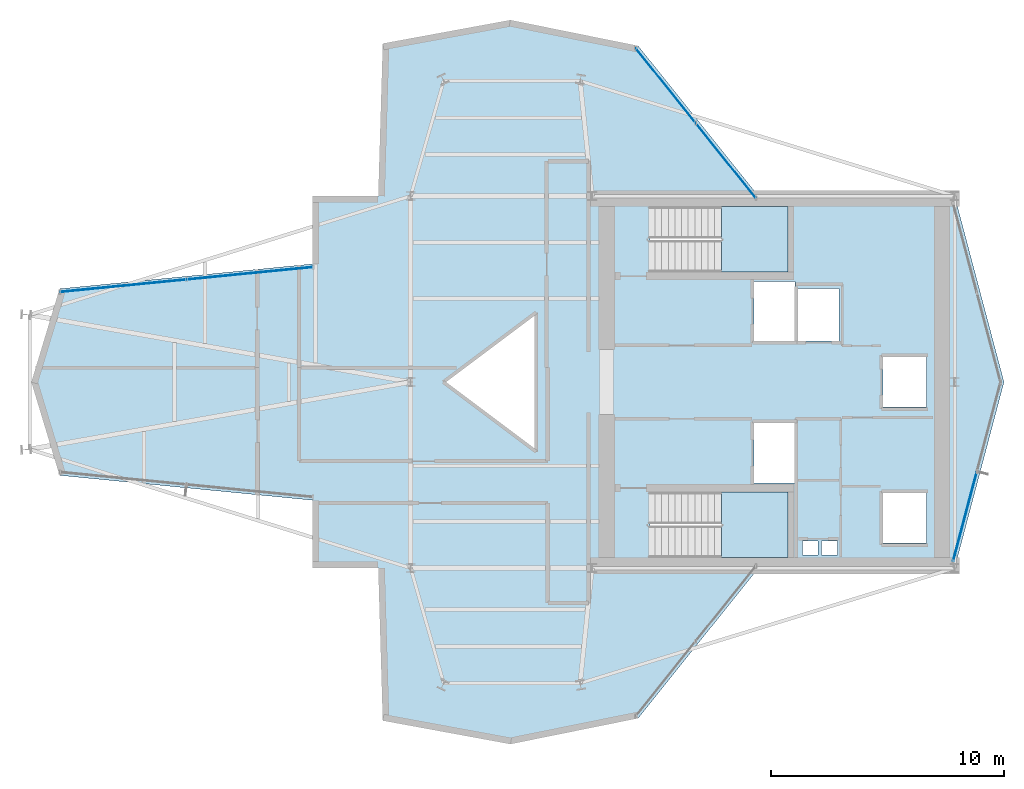
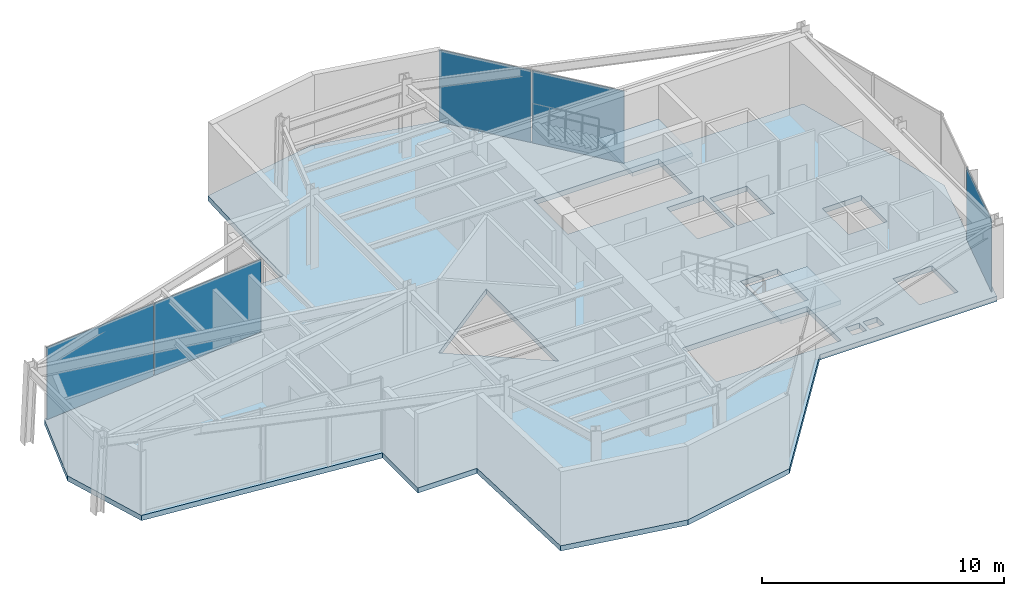
# One storey, part 19 of 23: 5 plates, 3 slabs, 5 elements without a shape of their own.
"""IFC4 building model written with IfcOpenShell, lengths in metres."""

import ifcopenshell
import ifcopenshell.guid

model = None  # the IFC model being written
_history = None  # IfcOwnerHistory: only IFC2X3 demands one
_inside = {}  # id of a spatial element -> (the spatial element, [elements in it])
_under = {}  # id of a project, library or spatial element -> (it, [spatial elements below it])
_declared = {}  # id of a project -> (the project, [libraries it declares])
_typed = {}  # id of a type object -> (the type object, [elements of that type])
_made_of = {}  # id of a material, layer set ... -> (it, [elements and type objects made of it])


def new_model(schema):
    """Start an empty IFC model of exactly this schema.

    Asked for "IFC4X3", IfcOpenShell would pick the latest addendum, in which some entities
    have other attributes; the version numbers below select the first issue.
    IFC2X3 requires an IfcOwnerHistory on every rooted entity: one is made here for all.
    """
    global model, _history
    if schema == "IFC4X3":
        model = ifcopenshell.file(schema_version=(4, 3, 0, 0))
    else:
        model = ifcopenshell.file(schema=schema)
    _inside.clear()
    _under.clear()
    _declared.clear()
    _typed.clear()
    _made_of.clear()
    _history = None
    if model.schema == "IFC2X3":
        org = make("IfcOrganization", Name="unknown")
        user = make(
            "IfcPersonAndOrganization",
            ThePerson=make("IfcPerson", FamilyName="unknown"),
            TheOrganization=org,
        )
        app = make(
            "IfcApplication",
            ApplicationDeveloper=org,
            Version="unknown",
            ApplicationFullName="unknown",
            ApplicationIdentifier="unknown",
        )
        _history = make(
            "IfcOwnerHistory",
            OwningUser=user,
            OwningApplication=app,
            ChangeAction="ADDED",
            CreationDate=0,
        )
    return model


def make(cls, **values):
    """One entity of the class cls with the attributes given. An attribute that is None is left unset."""
    return model.create_entity(
        cls, **{name: value for name, value in values.items() if value is not None}
    )


def rooted(cls, **values):
    """An entity with a GlobalId (a new one), such as an element, a storey or a relation."""
    return make(cls, GlobalId=ifcopenshell.guid.new(), OwnerHistory=_history, **values)


def si_unit(unit_type, name, prefix=None):
    """IfcSIUnit, for example si_unit("LENGTHUNIT", "METRE", prefix="MILLI")."""
    return make("IfcSIUnit", UnitType=unit_type, Prefix=prefix, Name=name)


def assignment(units):
    """IfcUnitAssignment: the units of a project."""
    return None if units is None else make("IfcUnitAssignment", Units=units)


def point(xyz):
    """IfcCartesianPoint."""
    return None if xyz is None else make("IfcCartesianPoint", Coordinates=xyz)


def direction(xyz):
    """IfcDirection."""
    return None if xyz is None else make("IfcDirection", DirectionRatios=xyz)


def frame(location, z_axis=None, x_axis=None):
    """IfcAxis2Placement3D, a coordinate frame: its origin and axes. An axis left out is left unset."""
    return make(
        "IfcAxis2Placement3D",
        Location=point(location),
        Axis=direction(z_axis),
        RefDirection=direction(x_axis),
    )


def frame_2d(location, x_axis=None):
    """IfcAxis2Placement2D, a coordinate frame in the plane: its origin and x axis."""
    return make(
        "IfcAxis2Placement2D", Location=point(location), RefDirection=direction(x_axis)
    )


def origin():
    """The frame at (0, 0, 0) with its axes left unset."""
    return frame((0.0, 0.0, 0.0))


def origin_2d():
    """The frame at (0, 0) in the plane with its x axis left unset."""
    return frame_2d((0.0, 0.0))


def place(relative_to, where):
    """IfcLocalPlacement: puts the frame where relative to a parent placement (None: the world)."""
    return make(
        "IfcLocalPlacement", PlacementRelTo=relative_to, RelativePlacement=where
    )


def context(
    kind, dimensions, precision=None, world=None, true_north=None, identifier=None
):
    """IfcGeometricRepresentationContext, for example the 3D "Model" context."""
    return make(
        "IfcGeometricRepresentationContext",
        ContextIdentifier=identifier,
        ContextType=kind,
        CoordinateSpaceDimension=dimensions,
        Precision=precision,
        WorldCoordinateSystem=world,
        TrueNorth=true_north,
    )


def subcontext(parent, identifier, kind, view, scale=None):
    """IfcGeometricRepresentationSubContext, for example "Body" below "Model"."""
    return make(
        "IfcGeometricRepresentationSubContext",
        ContextIdentifier=identifier,
        ContextType=kind,
        ParentContext=parent,
        TargetScale=scale,
        TargetView=view,
    )


def project(units=None, contexts=None):
    """IfcProject with its units and contexts."""
    return rooted(
        "IfcProject",
        Name="project",
        RepresentationContexts=contexts,
        UnitsInContext=assignment(units),
    )


def spatial(cls, under=None, at=None, **own):
    """A site, building, storey or space (cls), placed at a placement, below another one or the project."""
    s = rooted(cls, ObjectPlacement=at, **own)
    if under is not None:
        _under.setdefault(under.id(), (under, []))[1].append(s)
    return s


def polyline(points):
    """IfcPolyline through the points."""
    return make("IfcPolyline", Points=[point(p) for p in points])


def profile(cls, at=None, kind="AREA", **sizes):
    """A parametric profile (cls). Its sizes go by their IFC names, for example OverallWidth=200.0."""
    return make(cls, ProfileType=kind, Position=at, **sizes)


def rectangle(**sizes):
    """IfcRectangleProfileDef."""
    return profile("IfcRectangleProfileDef", **sizes)


def outline(outer, holes=None, kind="AREA"):
    """IfcArbitraryClosedProfileDef: a profile drawn as a closed curve; with holes, ...WithVoids."""
    if holes is None:
        return make("IfcArbitraryClosedProfileDef", ProfileType=kind, OuterCurve=outer)
    return make(
        "IfcArbitraryProfileDefWithVoids",
        ProfileType=kind,
        OuterCurve=outer,
        InnerCurves=holes,
    )


def extrude(swept, where, along, depth):
    """IfcExtrudedAreaSolid: the profile swept, set in the frame where, extruded along a direction by depth."""
    return make(
        "IfcExtrudedAreaSolid",
        SweptArea=swept,
        Position=where,
        ExtrudedDirection=direction(along),
        Depth=depth,
    )


def shape(context_of_items, identifier, shape_type, items):
    """IfcShapeRepresentation: the items that make up one representation, for example the "Body"."""
    return make(
        "IfcShapeRepresentation",
        ContextOfItems=context_of_items,
        RepresentationIdentifier=identifier,
        RepresentationType=shape_type,
        Items=items,
    )


def material(Name=None, Category=None):
    """IfcMaterial."""
    return make("IfcMaterial", Name=Name, Category=Category)


def layer(
    of_material, thickness, ventilated=None, Name=None, Category=None, Priority=None
):
    """IfcMaterialLayer: one layer of a wall or slab, of a material (None: an air gap)."""
    return make(
        "IfcMaterialLayer",
        Material=of_material,
        LayerThickness=thickness,
        IsVentilated=ventilated,
        Name=Name,
        Category=Category,
        Priority=Priority,
    )


def layer_set(layers, Name=None):
    """IfcMaterialLayerSet."""
    return make("IfcMaterialLayerSet", MaterialLayers=layers, LayerSetName=Name)


def made_of(thing, what):
    """Note that an element or type object is made of a material, layer set ...; save() writes the relation."""
    if what is not None:
        _made_of.setdefault(what.id(), (what, []))[1].append(thing)
    return thing


def type_object(cls, material=None, **own):
    """A type object (cls), such as IfcWallType, which elements share."""
    return made_of(rooted(cls, **own), material)


def element(
    cls,
    number,
    at=None,
    inside=None,
    cuts=None,
    type_object=None,
    material=None,
    context=None,
    identifier="Body",
    shape_type=None,
    held_by="IfcProductDefinitionShape",
    body=None,
    shapes=None,
    **own,
):
    """One element of the class cls, such as IfcWall. Its Tag is "e" and its number.

    at: its placement. inside: the storey or other place that contains it. cuts: it is an
    opening in that element (IfcRelVoidsElement). A single representation is given by context,
    identifier, shape_type and body (its items); several are given by shapes. held_by: the class
    of the entity that holds the representations. save() writes the other relations.
    """
    e = rooted(cls, Tag="e%d" % number, ObjectPlacement=at, **own)
    if body is not None:
        shapes = [shape(context, identifier, shape_type, body)]
    if shapes is not None:
        e.Representation = make(held_by, Representations=shapes)
    if inside is not None:
        _inside.setdefault(inside.id(), (inside, []))[1].append(e)
    if cuts is not None:
        rooted(
            "IfcRelVoidsElement", RelatingBuildingElement=cuts, RelatedOpeningElement=e
        )
    if type_object is not None:
        _typed.setdefault(type_object.id(), (type_object, []))[1].append(e)
    return made_of(e, material)


def aggregate(whole, parts):
    """IfcRelAggregates: a whole, such as a stair, and the parts it consists of."""
    return rooted("IfcRelAggregates", RelatingObject=whole, RelatedObjects=parts)


def save(model, path):
    """Write the relations noted so far, then the file.

    IfcRelAggregates (storeys below a building ...), IfcRelContainedInSpatialStructure (elements
    in a storey), IfcRelDefinesByType, IfcRelAssociatesMaterial and IfcRelDeclares: one each for
    every whole, place, type object, material and project.
    """
    for whole, parts in _under.values():
        aggregate(whole, parts)
    for where, things in _inside.values():
        rooted(
            "IfcRelContainedInSpatialStructure",
            RelatedElements=things,
            RelatingStructure=where,
        )
    for kind, things in _typed.values():
        rooted("IfcRelDefinesByType", RelatedObjects=things, RelatingType=kind)
    for what, things in _made_of.values():
        rooted("IfcRelAssociatesMaterial", RelatedObjects=things, RelatingMaterial=what)
    for by, libraries in _declared.values():
        rooted("IfcRelDeclares", RelatingContext=by, RelatedDefinitions=libraries)
    model.write(path)


model = new_model("IFC4")

# Units and contexts
model_context = context("Model", 3, precision=1e-05, world=origin(), true_north=direction((0.0, 1.0)))
body_context = subcontext(model_context, "Body", "Model", "MODEL_VIEW")
ifc_project = project(units=[si_unit("LENGTHUNIT", "METRE"), si_unit("AREAUNIT", "SQUARE_METRE"), si_unit("VOLUMEUNIT", "CUBIC_METRE"), si_unit("PLANEANGLEUNIT", "RADIAN"), si_unit("MASSUNIT", "GRAM", prefix="KILO")], contexts=[model_context])

# Site, building, storey
site_placement = place(None, origin())
site = spatial("IfcSite", under=ifc_project, at=site_placement, CompositionType="ELEMENT")
building_placement = place(site_placement, origin())
building = spatial("IfcBuilding", under=site, at=building_placement, Name="Veymaron Broadcast Tower", CompositionType="ELEMENT")
storey_placement = place(building_placement, frame((0.0, 0.0, 252.60009765625)))
storey = spatial("IfcBuildingStorey", under=building, at=storey_placement, Name="L59", CompositionType="ELEMENT", Elevation=252.60009765625)

# Curtain wall, plate
ifc_material_1 = material(Name="Anodised aluminium AA 6063-T6 and laminated low-E dark glass", Category="aluminium")
ifc_layer_1 = layer(ifc_material_1, 0.179931640625)
ifc_layer_set_1 = layer_set([ifc_layer_1], Name="Anodised aluminium AA 6063-T6 and laminated low-E dark glass")
curtain_wall_type = type_object("IfcCurtainWallType", Name="CW-SYS-05", PredefinedType="NOTDEFINED", material=ifc_layer_set_1)
curtain_wall_1_placement = place(storey_placement, origin())
curtain_wall_1 = element("IfcCurtainWall", 1, at=curtain_wall_1_placement, inside=storey, type_object=curtain_wall_type, Name="L59 dark-glass curtain wall CW-L59-E2-1", PredefinedType="NOTDEFINED")
ifc_material_2 = material(Name="Double-silver solar-control dark glass IGU 32 mm", Category="glass")
ifc_layer_2 = layer(ifc_material_2, 0.031982421875)
ifc_layer_set_2 = layer_set([ifc_layer_2], Name="Double-silver solar-control dark glass IGU 32 mm")
plate_type = type_object("IfcPlateType", Name="CW-PNL-02", PredefinedType="CURTAIN_PANEL", material=ifc_layer_set_2)
plate_1_placement = place(storey_placement, frame((55.04296875, 18.217041015625, 0.0400390625), z_axis=(0.0, 0.0, 1.0), x_axis=(0.25627250274, 0.966604574963, 0.0)))
plate_1 = element("IfcPlate", 2, at=plate_1_placement, type_object=plate_type, Name="CW-L59-E2-1 unitised curtain panel 0", PredefinedType="CURTAIN_PANEL", context=body_context, shape_type="SweptSolid", body=[
    extrude(rectangle(XDim=3.953369140625, YDim=0.031982421875, at=origin_2d()), origin(), (0.0, 0.0, 1.0), 3.64990234375),
])
aggregate(curtain_wall_1, [plate_1])

# Curtain wall, plates
curtain_wall_2_placement = place(storey_placement, origin())
curtain_wall_2 = element("IfcCurtainWall", 3, at=curtain_wall_2_placement, inside=storey, type_object=curtain_wall_type, Name="L59 dark-glass curtain wall CW-L59-E5-1", PredefinedType="NOTDEFINED")
plate_2_placement = place(storey_placement, frame((44.756103515625, 33.528076171875, 0.0400390625), z_axis=(0.0, 0.0, 1.0), x_axis=(-0.625120058901, 0.780528610597, 0.0)))
plate_2 = element("IfcPlate", 4, at=plate_2_placement, type_object=plate_type, Name="CW-L59-E5-1 unitised curtain panel 0", PredefinedType="CURTAIN_PANEL", context=body_context, shape_type="SweptSolid", body=[
    extrude(rectangle(XDim=4.07958984375, YDim=0.031982421875, at=origin_2d()), origin(), (0.0, 0.0, 1.0), 3.64990234375),
])
plate_3_placement = place(storey_placement, frame((42.16845703125, 36.759033203125, 0.0400390625), z_axis=(0.0, 0.0, 1.0), x_axis=(-0.625120058901, 0.780528610597, 0.0)))
plate_3 = element("IfcPlate", 5, at=plate_3_placement, type_object=plate_type, Name="CW-L59-E5-1 unitised curtain panel 1", PredefinedType="CURTAIN_PANEL", context=body_context, shape_type="SweptSolid", body=[
    extrude(rectangle(XDim=4.07958984375, YDim=0.031982421875, at=origin_2d()), origin(), (0.0, 0.0, 1.0), 3.64990234375),
])
aggregate(curtain_wall_2, [plate_2, plate_3])

curtain_wall_3_placement = place(storey_placement, origin())
curtain_wall_3 = element("IfcCurtainWall", 6, at=curtain_wall_3_placement, inside=storey, type_object=curtain_wall_type, Name="L59 dark-glass curtain wall CW-L59-E11-1", PredefinedType="NOTDEFINED")
plate_4_placement = place(storey_placement, frame((24.276611328125, 28.67626953125, 0.0400390625), z_axis=(0.0, 0.0, 1.0), x_axis=(-0.995198402746, -0.097878185373, 0.0)))
plate_4 = element("IfcPlate", 7, at=plate_4_placement, type_object=plate_type, Name="CW-L59-E11-1 unitised curtain panel 0", PredefinedType="CURTAIN_PANEL", context=body_context, shape_type="SweptSolid", body=[
    extrude(rectangle(XDim=5.408203125, YDim=0.031982421875, at=origin_2d()), origin(), (0.0, 0.0, 1.0), 3.64990234375),
])
plate_5_placement = place(storey_placement, frame((18.834716796875, 28.14111328125, 0.0400390625), z_axis=(0.0, 0.0, 1.0), x_axis=(-0.995198402746, -0.097878185373, 0.0)))
plate_5 = element("IfcPlate", 8, at=plate_5_placement, type_object=plate_type, Name="CW-L59-E11-1 unitised curtain panel 1", PredefinedType="CURTAIN_PANEL", context=body_context, shape_type="SweptSolid", body=[
    extrude(rectangle(XDim=5.408203125, YDim=0.031982421875, at=origin_2d()), origin(), (0.0, 0.0, 1.0), 3.64990234375),
])
aggregate(curtain_wall_3, [plate_4, plate_5])

# Slab
ifc_material_3 = material(Name="Concrete C40/50", Category="concrete")
ifc_layer_3 = layer(ifc_material_3, 0.260009765625)
ifc_layer_set_3 = layer_set([ifc_layer_3], Name="Concrete C40/50")
slab_type_1 = type_object("IfcSlabType", Name="SLAB-FS5", PredefinedType="FLOOR", material=ifc_layer_set_3)
slab_1_placement = place(storey_placement, frame((0.0, 0.0, -0.260009765625)))
element("IfcSlab", 9, at=slab_1_placement, inside=storey, type_object=slab_type_1, Name="L59 structural floor slab", PredefinedType="FLOOR", context=body_context, shape_type="SweptSolid", body=[
    extrude(outline(polyline([(46.1591796875, 16.0), (54.60009765625, 16.0), (56.720947265625, 24.0), (54.60009765625, 32.0), (46.1591796875, 32.0), (40.98388671875, 38.4619140625), (35.492919921875, 39.572998046875), (30.001953125, 38.56298828125), (29.8076171875, 32.0), (26.98388671875, 32.0), (26.98388671875, 29.0830078125), (16.10009765625, 28.0126953125), (14.887939453125, 24.0), (16.10009765625, 19.9873046875), (26.98388671875, 18.9169921875), (26.98388671875, 16.0), (29.8076171875, 16.0), (30.001953125, 9.43701171875), (35.492919921875, 8.427001953125), (40.98388671875, 9.5380859375), (46.1591796875, 16.0)]), holes=[polyline([(45.969970703125, 28.330078125), (47.72998046875, 28.330078125), (47.72998046875, 25.77001953125), (45.969970703125, 25.77001953125), (45.969970703125, 28.330078125)]), polyline([(45.969970703125, 22.22998046875), (47.72998046875, 22.22998046875), (47.72998046875, 19.669921875), (45.969970703125, 19.669921875), (45.969970703125, 22.22998046875)]), polyline([(47.8701171875, 28.030029296875), (49.6298828125, 28.030029296875), (49.6298828125, 25.77001953125), (47.8701171875, 25.77001953125), (47.8701171875, 28.030029296875)]), polyline([(51.52001953125, 25.080078125), (53.3798828125, 25.080078125), (53.3798828125, 22.919921875), (51.52001953125, 22.919921875), (51.52001953125, 25.080078125)]), polyline([(51.52001953125, 19.22998046875), (53.3798828125, 19.22998046875), (53.3798828125, 17.070068359375), (51.52001953125, 17.070068359375), (51.52001953125, 19.22998046875)]), polyline([(48.050048828125, 17.159912109375), (48.719970703125, 17.159912109375), (48.719970703125, 16.56005859375), (48.050048828125, 16.56005859375), (48.050048828125, 17.159912109375)]), polyline([(48.8798828125, 17.159912109375), (49.550048828125, 17.159912109375), (49.550048828125, 16.56005859375), (48.8798828125, 16.56005859375), (48.8798828125, 17.159912109375)]), polyline([(36.60009765625, 27.0), (36.60009765625, 21.0), (32.60009765625, 24.0), (36.60009765625, 27.0)]), polyline([(41.489990234375, 31.550048828125), (47.43994140625, 31.550048828125), (47.43994140625, 28.72998046875), (41.489990234375, 28.72998046875), (41.489990234375, 31.550048828125)]), polyline([(41.489990234375, 19.27001953125), (47.43994140625, 19.27001953125), (47.43994140625, 16.449951171875), (41.489990234375, 16.449951171875), (41.489990234375, 19.27001953125)])]), origin(), (0.0, 0.0, 1.0), 0.260009765625),
])

# Stair, slab
ifc_material_4 = material(Name="Concrete C50/60", Category="concrete")
stair_type_1 = type_object("IfcStairType", Name="STAIR-CORE-1", PredefinedType="HALF_TURN_STAIR", material=ifc_material_4)
stair_1_placement = place(storey_placement, origin())
stair_1 = element("IfcStair", 10, at=stair_1_placement, inside=storey, type_object=stair_type_1, Name="L59 North protected dog-leg exit stair ST1", PredefinedType="HALF_TURN_STAIR")
ifc_layer_4 = layer(ifc_material_4, 0.199951171875)
ifc_layer_set_4 = layer_set([ifc_layer_4], Name="Concrete C50/60")
slab_type_2 = type_object("IfcSlabType", Name="SLAB-STAIR-LDG", PredefinedType="LANDING", material=ifc_layer_set_4)
slab_2_placement = place(storey_placement, frame((0.0, 0.0, 1.824951171875)))
slab_2 = element("IfcSlab", 11, at=slab_2_placement, type_object=slab_type_2, Name="ST1 landing 1", PredefinedType="LANDING", context=body_context, shape_type="SweptSolid", body=[
    extrude(outline(polyline([(44.56494140625, 28.72998046875), (47.43994140625, 28.72998046875), (47.43994140625, 31.550048828125), (44.56494140625, 31.550048828125), (44.56494140625, 28.72998046875)])), origin(), (0.0, 0.0, 1.0), 0.199951171875),
])
aggregate(stair_1, [slab_2])

stair_type_2 = type_object("IfcStairType", Name="STAIR-CORE-2", PredefinedType="HALF_TURN_STAIR", material=ifc_material_4)
stair_2_placement = place(storey_placement, origin())
stair_2 = element("IfcStair", 12, at=stair_2_placement, inside=storey, type_object=stair_type_2, Name="L59 South protected dog-leg exit stair ST2", PredefinedType="HALF_TURN_STAIR")
slab_3_placement = place(storey_placement, frame((0.0, 0.0, 1.824951171875)))
slab_3 = element("IfcSlab", 13, at=slab_3_placement, type_object=slab_type_2, Name="ST2 landing 1", PredefinedType="LANDING", context=body_context, shape_type="SweptSolid", body=[
    extrude(outline(polyline([(44.56494140625, 16.449951171875), (47.43994140625, 16.449951171875), (47.43994140625, 19.27001953125), (44.56494140625, 19.27001953125), (44.56494140625, 16.449951171875)])), origin(), (0.0, 0.0, 1.0), 0.199951171875),
])
aggregate(stair_2, [slab_3])

save(model, "model.ifc")
